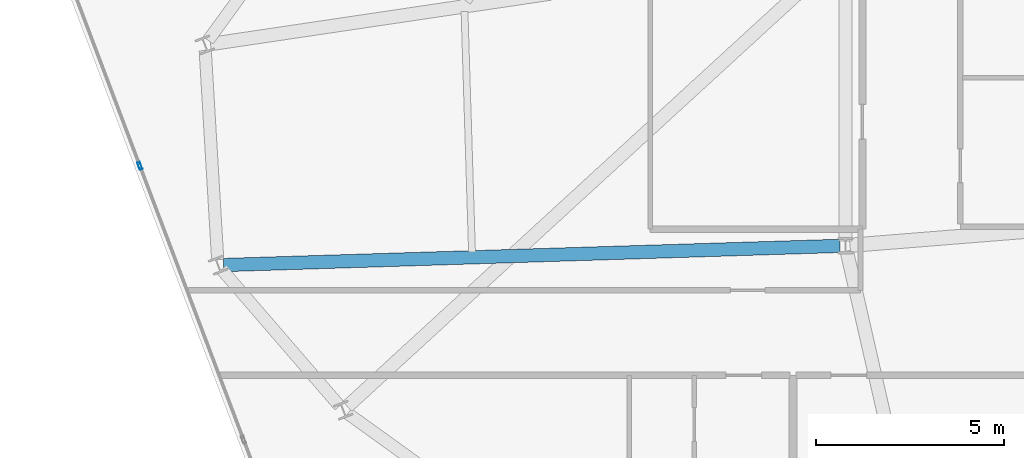
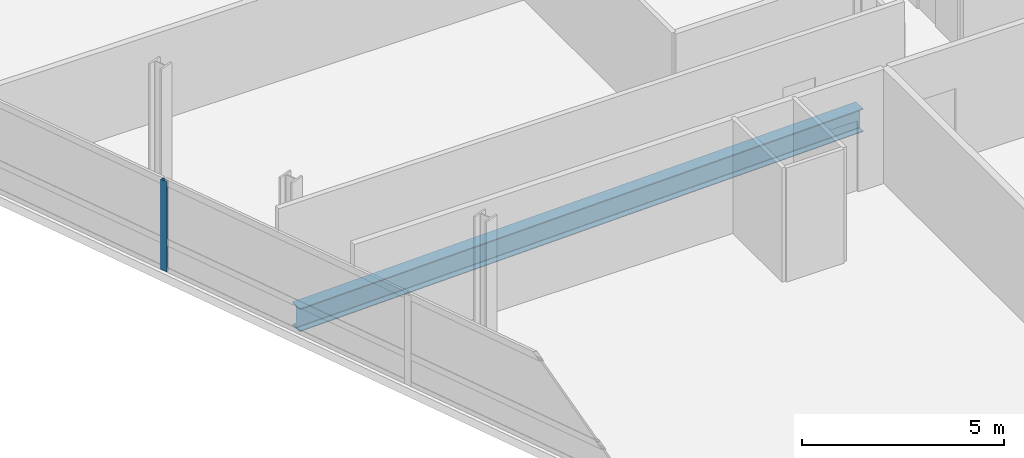
# One storey, part 6 of 20: 1 beam, 1 member, 1 element without a shape of its own.
"""IFC4 building model written with IfcOpenShell, lengths in metres."""

from ifc_helpers import new_model, si_unit, direction, frame, origin, origin_2d, place, context, subcontext, project, spatial, hollow_rectangle, i_section, extrude, material, layer, layer_set, material_profile, profile_set, type_object, element, aggregate, save


model = new_model("IFC4")

# Units and contexts
model_context = context("Model", 3, precision=1e-05, world=origin(), true_north=direction((0.0, 1.0)))
body_context = subcontext(model_context, "Body", "Model", "MODEL_VIEW")
ifc_project = project(units=[si_unit("LENGTHUNIT", "METRE"), si_unit("AREAUNIT", "SQUARE_METRE"), si_unit("VOLUMEUNIT", "CUBIC_METRE"), si_unit("PLANEANGLEUNIT", "RADIAN"), si_unit("MASSUNIT", "GRAM", prefix="KILO")], contexts=[model_context])

# Site, building, storey
site_placement = place(None, origin())
site = spatial("IfcSite", under=ifc_project, at=site_placement, CompositionType="ELEMENT")
building_placement = place(site_placement, origin())
building = spatial("IfcBuilding", under=site, at=building_placement, Name="Varnelok Gate Tower", CompositionType="ELEMENT")
storey_placement = place(building_placement, frame((0.0, 0.0, 223.800048828125)))
storey = spatial("IfcBuildingStorey", under=building, at=storey_placement, Name="L57", CompositionType="ELEMENT", Elevation=223.800048828125)

# Beam
ifc_material_1 = material(Name="Structural Steel ASTM A992 Grade 50", Category="steel")
ifc_material_profile_1 = material_profile(ifc_material_1, i_section(OverallWidth=0.35498046875, OverallDepth=0.696044921875, WebThickness=0.015380859375, FlangeThickness=0.02490234375, FilletRadius=0.02001953125, at=origin_2d()), Name="W27X146")
ifc_profile_set_1 = profile_set([ifc_material_profile_1], Name="Structural Steel ASTM A992 Grade 50")
beam_type = type_object("IfcBeamType", Name="BM-PRI-W27X146", PredefinedType="BEAM", material=ifc_profile_set_1)
beam_placement = place(storey_placement, frame((24.25, 18.79541015625, -0.59814453125), z_axis=(-0.999516665435, -0.031087546033, 0.0), x_axis=(0.031087546033, -0.999516665435, 0.0)))
element("IfcBeam", 1, at=beam_placement, inside=storey, type_object=beam_type, Name="L57 Radial Floor Girder 15", PredefinedType="BEAM", context=body_context, shape_type="SweptSolid", body=[
    extrude(i_section(OverallWidth=0.35498046875, OverallDepth=0.696044921875, WebThickness=0.015380859375, FlangeThickness=0.02490234375, FilletRadius=0.02001953125, at=origin_2d()), origin(), (0.0, 0.0, 1.0), 16.413330078125),
])

# Curtain wall, member
ifc_material_2 = material(Name="Anodized Aluminum Alloy 6063-T6", Category="aluminium")
ifc_layer = layer(ifc_material_2, 0.179931640625)
ifc_layer_set = layer_set([ifc_layer], Name="Anodized Aluminum Alloy 6063-T6")
curtain_wall_type = type_object("IfcCurtainWallType", Name="CW4-RESIDENCE-VISION", PredefinedType="USERDEFINED", material=ifc_layer_set)
curtain_wall_placement = place(storey_placement, origin())
curtain_wall = element("IfcCurtainWall", 2, at=curtain_wall_placement, inside=storey, type_object=curtain_wall_type, Name="L57 West End Vision Curtain Wall", ObjectType="UNITISED CURTAIN WALL", PredefinedType="USERDEFINED")
ifc_material_profile_2 = material_profile(ifc_material_2, hollow_rectangle(XDim=0.074951171875, YDim=0.199951171875, WallThickness=0.00390625, at=origin_2d()), Name="ALU200X75X4")
ifc_profile_set_2 = profile_set([ifc_material_profile_2], Name="Anodized Aluminum Alloy 6063-T6")
member_type = type_object("IfcMemberType", Name="CW-MULL-200", PredefinedType="MULLION", material=ifc_profile_set_2)
member_placement = place(storey_placement, frame((5.61328125, 20.9248046875, 0.0), z_axis=(0.0, 0.0, 1.0), x_axis=(-0.935221557832, -0.354063042079, 0.0)))
member = element("IfcMember", 3, at=member_placement, type_object=member_type, Name="CW4 mullion 4", PredefinedType="MULLION", context=body_context, shape_type="SweptSolid", body=[
    extrude(hollow_rectangle(XDim=0.074951171875, YDim=0.199951171875, WallThickness=0.00390625, at=origin_2d()), origin(), (0.0, 0.0, 1.0), 2.72998046875),
])
aggregate(curtain_wall, [member])

save(model, "model.ifc")
